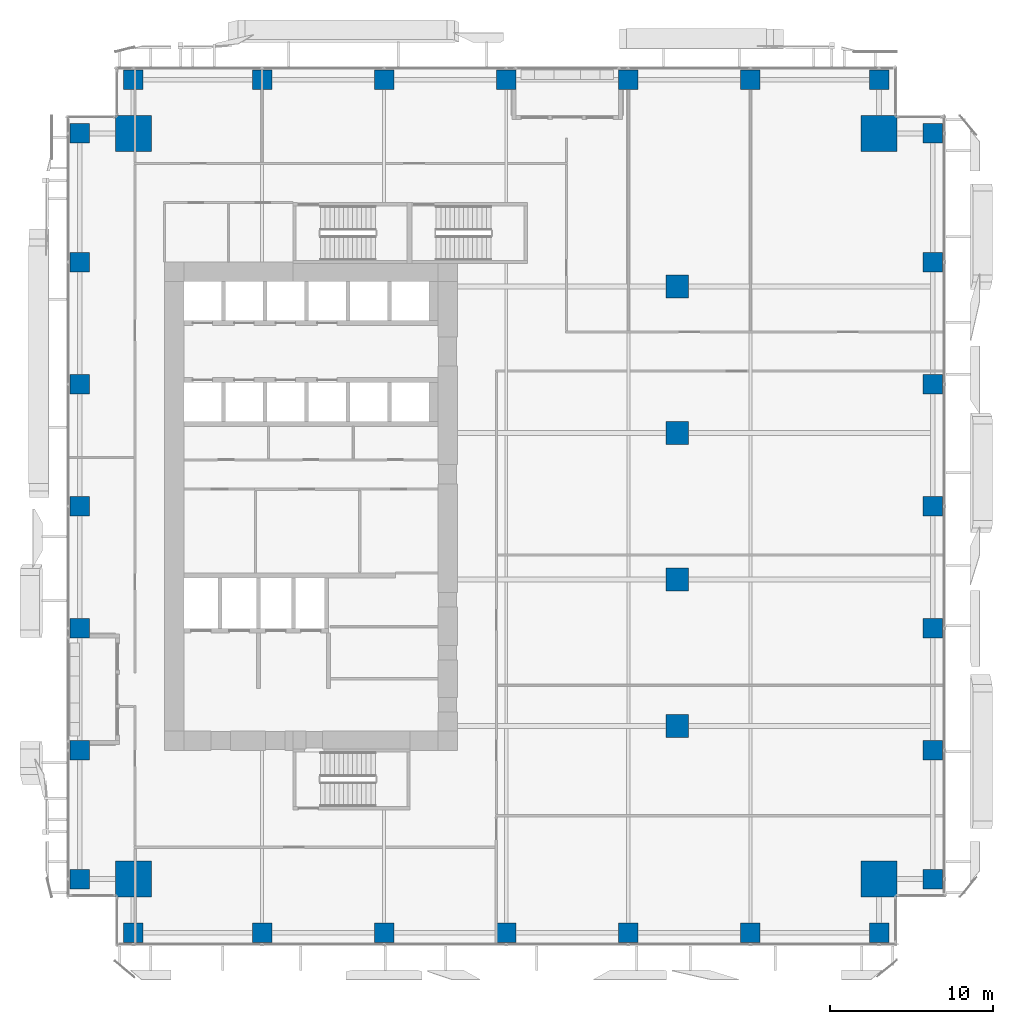
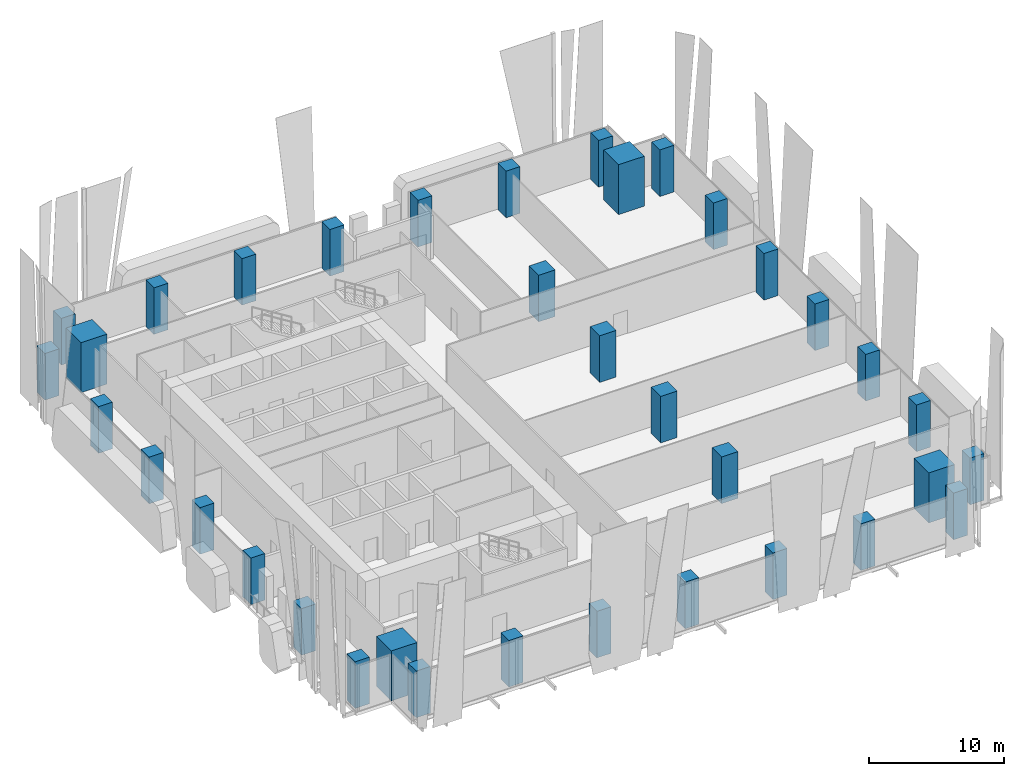
# One storey, part 1 of 36: 36 columns.
"""IFC4 building model written with IfcOpenShell, lengths in metres."""

import ifcopenshell
import ifcopenshell.guid

model = None  # the IFC model being written
_history = None  # IfcOwnerHistory: only IFC2X3 demands one
_inside = {}  # id of a spatial element -> (the spatial element, [elements in it])
_under = {}  # id of a project, library or spatial element -> (it, [spatial elements below it])
_declared = {}  # id of a project -> (the project, [libraries it declares])
_typed = {}  # id of a type object -> (the type object, [elements of that type])
_made_of = {}  # id of a material, layer set ... -> (it, [elements and type objects made of it])


def new_model(schema):
    """Start an empty IFC model of exactly this schema.

    Asked for "IFC4X3", IfcOpenShell would pick the latest addendum, in which some entities
    have other attributes; the version numbers below select the first issue.
    IFC2X3 requires an IfcOwnerHistory on every rooted entity: one is made here for all.
    """
    global model, _history
    if schema == "IFC4X3":
        model = ifcopenshell.file(schema_version=(4, 3, 0, 0))
    else:
        model = ifcopenshell.file(schema=schema)
    _inside.clear()
    _under.clear()
    _declared.clear()
    _typed.clear()
    _made_of.clear()
    _history = None
    if model.schema == "IFC2X3":
        org = make("IfcOrganization", Name="unknown")
        user = make(
            "IfcPersonAndOrganization",
            ThePerson=make("IfcPerson", FamilyName="unknown"),
            TheOrganization=org,
        )
        app = make(
            "IfcApplication",
            ApplicationDeveloper=org,
            Version="unknown",
            ApplicationFullName="unknown",
            ApplicationIdentifier="unknown",
        )
        _history = make(
            "IfcOwnerHistory",
            OwningUser=user,
            OwningApplication=app,
            ChangeAction="ADDED",
            CreationDate=0,
        )
    return model


def make(cls, **values):
    """One entity of the class cls with the attributes given. An attribute that is None is left unset."""
    return model.create_entity(
        cls, **{name: value for name, value in values.items() if value is not None}
    )


def rooted(cls, **values):
    """An entity with a GlobalId (a new one), such as an element, a storey or a relation."""
    return make(cls, GlobalId=ifcopenshell.guid.new(), OwnerHistory=_history, **values)


def si_unit(unit_type, name, prefix=None):
    """IfcSIUnit, for example si_unit("LENGTHUNIT", "METRE", prefix="MILLI")."""
    return make("IfcSIUnit", UnitType=unit_type, Prefix=prefix, Name=name)


def assignment(units):
    """IfcUnitAssignment: the units of a project."""
    return None if units is None else make("IfcUnitAssignment", Units=units)


def point(xyz):
    """IfcCartesianPoint."""
    return None if xyz is None else make("IfcCartesianPoint", Coordinates=xyz)


def direction(xyz):
    """IfcDirection."""
    return None if xyz is None else make("IfcDirection", DirectionRatios=xyz)


def frame(location, z_axis=None, x_axis=None):
    """IfcAxis2Placement3D, a coordinate frame: its origin and axes. An axis left out is left unset."""
    return make(
        "IfcAxis2Placement3D",
        Location=point(location),
        Axis=direction(z_axis),
        RefDirection=direction(x_axis),
    )


def frame_2d(location, x_axis=None):
    """IfcAxis2Placement2D, a coordinate frame in the plane: its origin and x axis."""
    return make(
        "IfcAxis2Placement2D", Location=point(location), RefDirection=direction(x_axis)
    )


def origin():
    """The frame at (0, 0, 0) with its axes left unset."""
    return frame((0.0, 0.0, 0.0))


def origin_2d():
    """The frame at (0, 0) in the plane with its x axis left unset."""
    return frame_2d((0.0, 0.0))


def place(relative_to, where):
    """IfcLocalPlacement: puts the frame where relative to a parent placement (None: the world)."""
    return make(
        "IfcLocalPlacement", PlacementRelTo=relative_to, RelativePlacement=where
    )


def context(
    kind, dimensions, precision=None, world=None, true_north=None, identifier=None
):
    """IfcGeometricRepresentationContext, for example the 3D "Model" context."""
    return make(
        "IfcGeometricRepresentationContext",
        ContextIdentifier=identifier,
        ContextType=kind,
        CoordinateSpaceDimension=dimensions,
        Precision=precision,
        WorldCoordinateSystem=world,
        TrueNorth=true_north,
    )


def subcontext(parent, identifier, kind, view, scale=None):
    """IfcGeometricRepresentationSubContext, for example "Body" below "Model"."""
    return make(
        "IfcGeometricRepresentationSubContext",
        ContextIdentifier=identifier,
        ContextType=kind,
        ParentContext=parent,
        TargetScale=scale,
        TargetView=view,
    )


def project(units=None, contexts=None):
    """IfcProject with its units and contexts."""
    return rooted(
        "IfcProject",
        Name="project",
        RepresentationContexts=contexts,
        UnitsInContext=assignment(units),
    )


def spatial(cls, under=None, at=None, **own):
    """A site, building, storey or space (cls), placed at a placement, below another one or the project."""
    s = rooted(cls, ObjectPlacement=at, **own)
    if under is not None:
        _under.setdefault(under.id(), (under, []))[1].append(s)
    return s


def profile(cls, at=None, kind="AREA", **sizes):
    """A parametric profile (cls). Its sizes go by their IFC names, for example OverallWidth=200.0."""
    return make(cls, ProfileType=kind, Position=at, **sizes)


def rectangle(**sizes):
    """IfcRectangleProfileDef."""
    return profile("IfcRectangleProfileDef", **sizes)


def extrude(swept, where, along, depth):
    """IfcExtrudedAreaSolid: the profile swept, set in the frame where, extruded along a direction by depth."""
    return make(
        "IfcExtrudedAreaSolid",
        SweptArea=swept,
        Position=where,
        ExtrudedDirection=direction(along),
        Depth=depth,
    )


def shape(context_of_items, identifier, shape_type, items):
    """IfcShapeRepresentation: the items that make up one representation, for example the "Body"."""
    return make(
        "IfcShapeRepresentation",
        ContextOfItems=context_of_items,
        RepresentationIdentifier=identifier,
        RepresentationType=shape_type,
        Items=items,
    )


def source(mapping_origin, context_of_items, identifier, shape_type, items):
    """IfcRepresentationMap: a shape defined once, which mapped items show again and again."""
    return make(
        "IfcRepresentationMap",
        MappingOrigin=mapping_origin,
        MappedRepresentation=shape(context_of_items, identifier, shape_type, items),
    )


def transform(
    local_origin,
    x_axis=None,
    y_axis=None,
    z_axis=None,
    scale=None,
    scale2=None,
    scale3=None,
    uniform=True,
):
    """IfcCartesianTransformationOperator3D, or its non-uniform kind. x_axis, y_axis, z_axis: its Axis1, 2, 3."""
    if uniform:
        return make(
            "IfcCartesianTransformationOperator3D",
            Axis1=direction(x_axis),
            Axis2=direction(y_axis),
            LocalOrigin=point(local_origin),
            Scale=scale,
            Axis3=direction(z_axis),
        )
    return make(
        "IfcCartesianTransformationOperator3DnonUniform",
        Axis1=direction(x_axis),
        Axis2=direction(y_axis),
        LocalOrigin=point(local_origin),
        Scale=scale,
        Axis3=direction(z_axis),
        Scale2=scale2,
        Scale3=scale3,
    )


def mapped(mapping_source, mapping_target):
    """IfcMappedItem: shows the shape of a source again, moved by a transform."""
    return make(
        "IfcMappedItem", MappingSource=mapping_source, MappingTarget=mapping_target
    )


def material(Name=None, Category=None):
    """IfcMaterial."""
    return make("IfcMaterial", Name=Name, Category=Category)


def material_profile(
    of_material, cross_section, Name=None, Category=None, Priority=None
):
    """IfcMaterialProfile: a cross section and its material."""
    return make(
        "IfcMaterialProfile",
        Name=Name,
        Material=of_material,
        Profile=cross_section,
        Priority=Priority,
        Category=Category,
    )


def profile_set(profiles, Name=None, composite=None):
    """IfcMaterialProfileSet."""
    return make(
        "IfcMaterialProfileSet",
        Name=Name,
        MaterialProfiles=profiles,
        CompositeProfile=composite,
    )


def made_of(thing, what):
    """Note that an element or type object is made of a material, layer set ...; save() writes the relation."""
    if what is not None:
        _made_of.setdefault(what.id(), (what, []))[1].append(thing)
    return thing


def type_object(cls, material=None, **own):
    """A type object (cls), such as IfcWallType, which elements share."""
    return made_of(rooted(cls, **own), material)


def element(
    cls,
    number,
    at=None,
    inside=None,
    cuts=None,
    type_object=None,
    material=None,
    context=None,
    identifier="Body",
    shape_type=None,
    held_by="IfcProductDefinitionShape",
    body=None,
    shapes=None,
    **own,
):
    """One element of the class cls, such as IfcWall. Its Tag is "e" and its number.

    at: its placement. inside: the storey or other place that contains it. cuts: it is an
    opening in that element (IfcRelVoidsElement). A single representation is given by context,
    identifier, shape_type and body (its items); several are given by shapes. held_by: the class
    of the entity that holds the representations. save() writes the other relations.
    """
    e = rooted(cls, Tag="e%d" % number, ObjectPlacement=at, **own)
    if body is not None:
        shapes = [shape(context, identifier, shape_type, body)]
    if shapes is not None:
        e.Representation = make(held_by, Representations=shapes)
    if inside is not None:
        _inside.setdefault(inside.id(), (inside, []))[1].append(e)
    if cuts is not None:
        rooted(
            "IfcRelVoidsElement", RelatingBuildingElement=cuts, RelatedOpeningElement=e
        )
    if type_object is not None:
        _typed.setdefault(type_object.id(), (type_object, []))[1].append(e)
    return made_of(e, material)


def aggregate(whole, parts):
    """IfcRelAggregates: a whole, such as a stair, and the parts it consists of."""
    return rooted("IfcRelAggregates", RelatingObject=whole, RelatedObjects=parts)


def save(model, path):
    """Write the relations noted so far, then the file.

    IfcRelAggregates (storeys below a building ...), IfcRelContainedInSpatialStructure (elements
    in a storey), IfcRelDefinesByType, IfcRelAssociatesMaterial and IfcRelDeclares: one each for
    every whole, place, type object, material and project.
    """
    for whole, parts in _under.values():
        aggregate(whole, parts)
    for where, things in _inside.values():
        rooted(
            "IfcRelContainedInSpatialStructure",
            RelatedElements=things,
            RelatingStructure=where,
        )
    for kind, things in _typed.values():
        rooted("IfcRelDefinesByType", RelatedObjects=things, RelatingType=kind)
    for what, things in _made_of.values():
        rooted("IfcRelAssociatesMaterial", RelatedObjects=things, RelatingMaterial=what)
    for by, libraries in _declared.values():
        rooted("IfcRelDeclares", RelatingContext=by, RelatedDefinitions=libraries)
    model.write(path)


model = new_model("IFC4")

# Units and contexts
model_context = context("Model", 3, precision=1e-05, world=origin(), true_north=direction((0.0, 1.0)))
body_context = subcontext(model_context, "Body", "Model", "MODEL_VIEW")
ifc_project = project(units=[si_unit("LENGTHUNIT", "METRE"), si_unit("AREAUNIT", "SQUARE_METRE"), si_unit("VOLUMEUNIT", "CUBIC_METRE"), si_unit("PLANEANGLEUNIT", "RADIAN"), si_unit("MASSUNIT", "GRAM", prefix="KILO")], contexts=[model_context])

# Site, building, storey
site_placement = place(None, origin())
site = spatial("IfcSite", under=ifc_project, at=site_placement, CompositionType="ELEMENT")
building_placement = place(site_placement, origin())
building = spatial("IfcBuilding", under=site, at=building_placement, Name="Khomas Fold Tower", CompositionType="ELEMENT")
storey_placement = place(building_placement, frame((0.0, 0.0, 46.5)))
storey = spatial("IfcBuildingStorey", under=building, at=storey_placement, Name="L09", CompositionType="ELEMENT", Elevation=46.5)

# Columns
ifc_material_1 = material(Name="Concrete C70/85", Category="concrete")
ifc_material_profile_1 = material_profile(ifc_material_1, rectangle(XDim=2.199951171875, YDim=2.199951171875, at=origin_2d()), Name="RC 2200x2200")
ifc_profile_set_1 = profile_set([ifc_material_profile_1], Name="Concrete C70/85")
column_type_1 = type_object("IfcColumnType", Name="RC 2200x2200 column", PredefinedType="COLUMN", material=ifc_profile_set_1)
shared_shape_1 = source(origin(), body_context, "Body", "SweptSolid", [
    extrude(rectangle(XDim=2.199951171875, YDim=2.199951171875, at=origin_2d()), origin(), (0.0, 0.0, 1.0), 4.5),
])
for number, where, z_axis, x_axis, name in (
    (1, (49.89990234375, 49.89990234375, 0.0), (0.0, 0.0, 1.0), (1.0, 0.0, 0.0), "CM-NE"),
    (2, (4.10009765625, 49.89990234375, 0.0), (0.0, 0.0, 1.0), (1.0, 0.0, 0.0), "CM-NW"),
    (3, (49.89990234375, 4.10009765625, 0.0), (0.0, 0.0, 1.0), (1.0, 0.0, 0.0), "CM-SE"),
    (4, (4.10009765625, 4.10009765625, 0.0), (0.0, 0.0, 1.0), (1.0, 0.0, 0.0), "CM-SW"),
):
    element("IfcColumn", number, at=place(storey_placement, frame(where, z_axis=z_axis, x_axis=x_axis)), inside=storey, type_object=column_type_1, Name=name, PredefinedType="COLUMN", context=body_context, shape_type="MappedRepresentation", body=[
        mapped(shared_shape_1, transform((0.0, 0.0, 0.0))),
    ])
ifc_material_2 = material(Name="Concrete C60/75", Category="concrete")
ifc_material_profile_2 = material_profile(ifc_material_2, rectangle(XDim=1.199951171875, YDim=1.199951171875, at=origin_2d()), Name="RC 1200x1200")
ifc_profile_set_2 = profile_set([ifc_material_profile_2], Name="Concrete C60/75")
column_type_2 = type_object("IfcColumnType", Name="RC 1200x1200 column", PredefinedType="COLUMN", material=ifc_profile_set_2)
shared_shape_2 = source(origin(), body_context, "Body", "SweptSolid", [
    extrude(rectangle(XDim=1.199951171875, YDim=1.199951171875, at=origin_2d()), origin(), (0.0, 0.0, 1.0), 4.199951171875),
])
for number, where, z_axis, x_axis, name in (
    (5, (4.10009765625, 0.800048828125, 0.0), (0.0, 0.0, 1.0), (1.0, 0.0, 0.0), "C-2-SF1"),
    (6, (12.0, 0.800048828125, 0.0), (0.0, 0.0, 1.0), (1.0, 0.0, 0.0), "C-6-SF1"),
    (7, (19.5, 0.800048828125, 0.0), (0.0, 0.0, 1.0), (1.0, 0.0, 0.0), "C-8-SF1"),
    (8, (27.0, 0.800048828125, 0.0), (0.0, 0.0, 1.0), (1.0, 0.0, 0.0), "C-9-SF1"),
    (9, (34.5, 0.800048828125, 0.0), (0.0, 0.0, 1.0), (1.0, 0.0, 0.0), "C-10-SF1"),
    (10, (42.0, 0.800048828125, 0.0), (0.0, 0.0, 1.0), (1.0, 0.0, 0.0), "C-13-SF1"),
    (11, (49.89990234375, 0.800048828125, 0.0), (0.0, 0.0, 1.0), (1.0, 0.0, 0.0), "C-17-SF1"),
    (12, (53.199951171875, 4.10009765625, 0.0), (0.0, 0.0, 1.0), (1.0, 0.0, 0.0), "C-E1-A"),
    (13, (53.199951171875, 12.0, 0.0), (0.0, 0.0, 1.0), (1.0, 0.0, 0.0), "C-E1-F"),
    (14, (53.199951171875, 19.5, 0.0), (0.0, 0.0, 1.0), (1.0, 0.0, 0.0), "C-E1-J"),
    (15, (53.199951171875, 27.0, 0.0), (0.0, 0.0, 1.0), (1.0, 0.0, 0.0), "C-E1-L"),
    (16, (53.199951171875, 34.5, 0.0), (0.0, 0.0, 1.0), (1.0, 0.0, 0.0), "C-E1-N"),
    (17, (53.199951171875, 42.0, 0.0), (0.0, 0.0, 1.0), (1.0, 0.0, 0.0), "C-E1-R"),
    (18, (53.199951171875, 49.89990234375, 0.0), (0.0, 0.0, 1.0), (1.0, 0.0, 0.0), "C-E1-W"),
    (19, (4.10009765625, 53.199951171875, 0.0), (0.0, 0.0, 1.0), (1.0, 0.0, 0.0), "C-2-NF1"),
    (20, (12.0, 53.199951171875, 0.0), (0.0, 0.0, 1.0), (1.0, 0.0, 0.0), "C-6-NF1"),
    (21, (19.5, 53.199951171875, 0.0), (0.0, 0.0, 1.0), (1.0, 0.0, 0.0), "C-8-NF1"),
    (22, (27.0, 53.199951171875, 0.0), (0.0, 0.0, 1.0), (1.0, 0.0, 0.0), "C-9-NF1"),
    (23, (34.5, 53.199951171875, 0.0), (0.0, 0.0, 1.0), (1.0, 0.0, 0.0), "C-10-NF1"),
    (24, (42.0, 53.199951171875, 0.0), (0.0, 0.0, 1.0), (1.0, 0.0, 0.0), "C-13-NF1"),
    (25, (49.89990234375, 53.199951171875, 0.0), (0.0, 0.0, 1.0), (1.0, 0.0, 0.0), "C-17-NF1"),
    (26, (0.800048828125, 4.10009765625, 0.0), (0.0, 0.0, 1.0), (1.0, 0.0, 0.0), "C-W1-A"),
    (27, (0.800048828125, 12.0, 0.0), (0.0, 0.0, 1.0), (1.0, 0.0, 0.0), "C-W1-F"),
    (28, (0.800048828125, 19.5, 0.0), (0.0, 0.0, 1.0), (1.0, 0.0, 0.0), "C-W1-J"),
    (29, (0.800048828125, 27.0, 0.0), (0.0, 0.0, 1.0), (1.0, 0.0, 0.0), "C-W1-L"),
    (30, (0.800048828125, 34.5, 0.0), (0.0, 0.0, 1.0), (1.0, 0.0, 0.0), "C-W1-N"),
    (31, (0.800048828125, 42.0, 0.0), (0.0, 0.0, 1.0), (1.0, 0.0, 0.0), "C-W1-R"),
    (32, (0.800048828125, 49.89990234375, 0.0), (0.0, 0.0, 1.0), (1.0, 0.0, 0.0), "C-W1-W"),
):
    element("IfcColumn", number, at=place(storey_placement, frame(where, z_axis=z_axis, x_axis=x_axis)), inside=storey, type_object=column_type_2, Name=name, PredefinedType="COLUMN", context=body_context, shape_type="MappedRepresentation", body=[
        mapped(shared_shape_2, transform((0.0, 0.0, 0.0))),
    ])
ifc_material_3 = material(Name="Concrete C60/75", Category="concrete")
ifc_material_profile_3 = material_profile(ifc_material_3, rectangle(XDim=1.39990234375, YDim=1.39990234375, at=origin_2d()), Name="RC 1400x1400")
ifc_profile_set_3 = profile_set([ifc_material_profile_3], Name="Concrete C60/75")
column_type_3 = type_object("IfcColumnType", Name="RC 1400x1400 column", PredefinedType="COLUMN", material=ifc_profile_set_3)
shared_shape_3 = source(origin(), body_context, "Body", "SweptSolid", [
    extrude(rectangle(XDim=1.39990234375, YDim=1.39990234375, at=origin_2d()), origin(), (0.0, 0.0, 1.0), 4.199951171875),
])
for number, where, z_axis, x_axis, name in (
    (33, (37.5, 13.5, 0.0), (0.0, 0.0, 1.0), (1.0, 0.0, 0.0), "C-11-H"),
    (34, (37.5, 22.5, 0.0), (0.0, 0.0, 1.0), (1.0, 0.0, 0.0), "C-11-K"),
    (35, (37.5, 31.5, 0.0), (0.0, 0.0, 1.0), (1.0, 0.0, 0.0), "C-11-M"),
    (36, (37.5, 40.5, 0.0), (0.0, 0.0, 1.0), (1.0, 0.0, 0.0), "C-11-P"),
):
    element("IfcColumn", number, at=place(storey_placement, frame(where, z_axis=z_axis, x_axis=x_axis)), inside=storey, type_object=column_type_3, Name=name, PredefinedType="COLUMN", context=body_context, shape_type="MappedRepresentation", body=[
        mapped(shared_shape_3, transform((0.0, 0.0, 0.0))),
    ])

save(model, "model.ifc")
